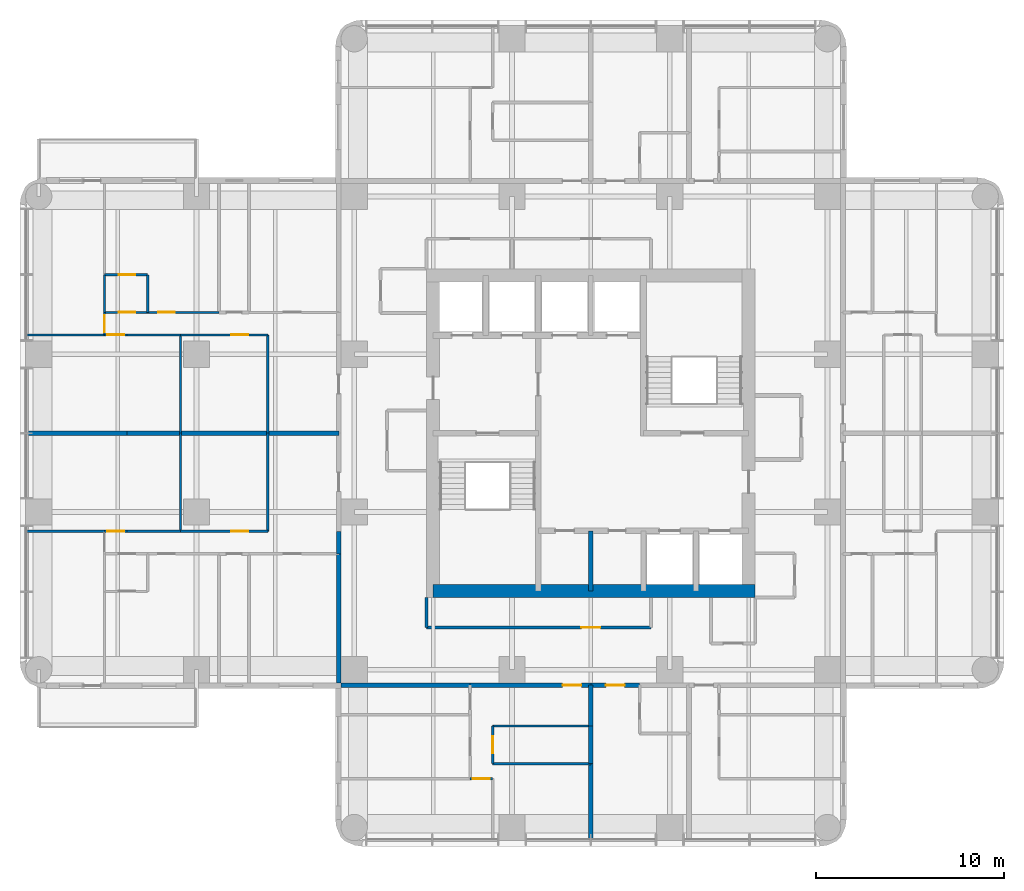
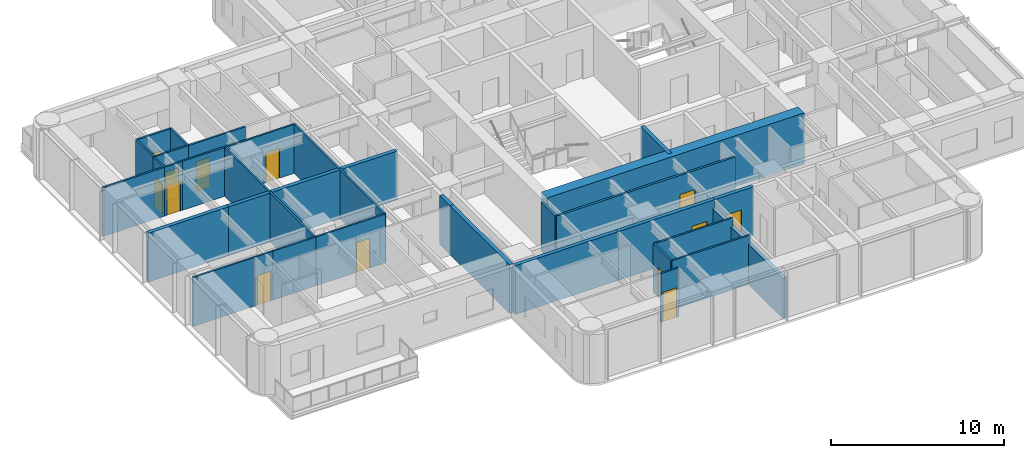
# One storey, part 5 of 11: 38 walls, 13 doors, 13 openings.
"""IFC4 building model written with IfcOpenShell, lengths in metres."""

from ifc_helpers import new_model, si_unit, direction, frame, frame_2d, origin, place, context, subcontext, project, spatial, rectangle, extrude, material, layer, layer_set, type_object, element, fill, save


model = new_model("IFC4")

# Units and contexts
model_context = context("Model", 3, precision=1e-05, world=origin(), true_north=direction((0.0, 1.0)))
body_context = subcontext(model_context, "Body", "Model", "MODEL_VIEW")
ifc_project = project(units=[si_unit("LENGTHUNIT", "METRE"), si_unit("AREAUNIT", "SQUARE_METRE"), si_unit("VOLUMEUNIT", "CUBIC_METRE"), si_unit("PLANEANGLEUNIT", "RADIAN"), si_unit("MASSUNIT", "GRAM", prefix="KILO")], contexts=[model_context])

# Site, building, storey
site_placement = place(None, origin())
site = spatial("IfcSite", under=ifc_project, at=site_placement, CompositionType="ELEMENT")
building_placement = place(site_placement, origin())
building = spatial("IfcBuilding", under=site, at=building_placement, Name="Torre Alcanfor", CompositionType="ELEMENT")
storey_placement = place(building_placement, frame((0.0, 0.0, 201.300048828125)))
storey = spatial("IfcBuildingStorey", under=building, at=storey_placement, Name="L52", CompositionType="ELEMENT", Elevation=201.300048828125)

# Wall, opening, door
ifc_material_1 = material(Name="Concrete block masonry, hollow blocks NMX-C-404 9 MPa", Category="masonry")
ifc_layer_1 = layer(ifc_material_1, 0.25)
ifc_layer_set_1 = layer_set([ifc_layer_1], Name="Apartment entrance wall 250 EI 60")
wall_type_1 = type_object("IfcWallType", Name="Apartment entrance wall 250 EI 60", PredefinedType="PARTITIONING", material=ifc_layer_set_1)
wall_1_placement = place(storey_placement, frame((32.0, 15.97509765625, 0.0), z_axis=(0.0, 0.0, 1.0), x_axis=(-1.0, 0.0, 0.0)))
wall_1 = element("IfcWall", 1, at=wall_1_placement, inside=storey, type_object=wall_type_1, Name="Partition L52-CORR / L52-S1A-STUDIO", PredefinedType="PARTITIONING", context=body_context, shape_type="SweptSolid", body=[
    extrude(rectangle(XDim=2.60009765625, YDim=0.25, at=frame_2d((1.300048828125, 0.0))), origin(), (0.0, 0.0, 1.0), 3.449951171875),
])
opening_1_placement = place(wall_1_placement, frame((0.800048828125, 0.0, 0.0)))
opening_1 = element("IfcOpeningElement", 2, at=opening_1_placement, cuts=wall_1, Name="Opening D-A1", PredefinedType="OPENING", context=body_context, shape_type="SweptSolid", body=[
    extrude(rectangle(XDim=1.0, YDim=2.10009765625, at=frame_2d((0.5, 1.050048828125))), frame((0.0, 0.135009765625, 0.0), z_axis=(0.0, -1.0, 0.0), x_axis=(1.0, 0.0, 0.0)), (0.0, 0.0, 1.0), 0.27001953125),
])
ifc_material_2 = material(Name="Galvanised steel sheet ASTM A653", Category="steel")
door_type_1 = type_object("IfcDoorType", Name="Apartment entrance door FD60 1000x2100", OperationType="SINGLE_SWING_LEFT", PredefinedType="DOOR", material=ifc_material_2)
door_1_placement = place(opening_1_placement, origin())
door_1 = element("IfcDoor", 3, at=door_1_placement, inside=storey, type_object=door_type_1, Name="Apartment entrance L52-S1A", OperationType="SINGLE_SWING_LEFT", OverallHeight=2.10009765625, OverallWidth=1.0, PredefinedType="DOOR", context=body_context, shape_type="SweptSolid", body=[
    extrude(rectangle(XDim=1.0, YDim=2.10009765625, at=frame_2d((0.5, 1.050048828125))), frame((0.0, 0.02490234375, 0.0), z_axis=(0.0, -1.0, 0.0), x_axis=(1.0, 0.0, 0.0)), (0.0, 0.0, 1.0), 0.050048828125),
])
fill(opening_1, door_1)

wall_2_placement = place(storey_placement, frame((29.39990234375, 15.97509765625, 0.0), z_axis=(0.0, 0.0, 1.0), x_axis=(-1.0, 0.0, 0.0)))
wall_2 = element("IfcWall", 4, at=wall_2_placement, inside=storey, type_object=wall_type_1, Name="Partition L52-CORR / L52-S2-LIVING", PredefinedType="PARTITIONING", context=body_context, shape_type="SweptSolid", body=[
    extrude(rectangle(XDim=6.428955078125, YDim=0.25, at=frame_2d((3.21435546875, 0.0))), origin(), (0.0, 0.0, 1.0), 3.449951171875),
])
opening_2_placement = place(wall_2_placement, frame((0.5, 0.0, 0.0)))
opening_2 = element("IfcOpeningElement", 5, at=opening_2_placement, cuts=wall_2, Name="Opening D-A1", PredefinedType="OPENING", context=body_context, shape_type="SweptSolid", body=[
    extrude(rectangle(XDim=1.0, YDim=2.10009765625, at=frame_2d((0.5, 1.050048828125))), frame((0.0, 0.135009765625, 0.0), z_axis=(0.0, -1.0, 0.0), x_axis=(1.0, 0.0, 0.0)), (0.0, 0.0, 1.0), 0.27001953125),
])
door_2_placement = place(opening_2_placement, origin())
door_2 = element("IfcDoor", 6, at=door_2_placement, inside=storey, type_object=door_type_1, Name="Apartment entrance L52-S2", OperationType="SINGLE_SWING_LEFT", OverallHeight=2.10009765625, OverallWidth=1.0, PredefinedType="DOOR", context=body_context, shape_type="SweptSolid", body=[
    extrude(rectangle(XDim=1.0, YDim=2.10009765625, at=frame_2d((0.5, 1.050048828125))), frame((0.0, 0.02490234375, 0.0), z_axis=(0.0, -1.0, 0.0), x_axis=(1.0, 0.0, 0.0)), (0.0, 0.0, 1.0), 0.050048828125),
])
fill(opening_2, door_2)

# Walls
wall_3_placement = place(storey_placement, frame((22.970947265625, 15.97509765625, 0.0), z_axis=(0.0, 0.0, 1.0), x_axis=(-1.0, 0.0, 0.0)))
element("IfcWall", 7, at=wall_3_placement, inside=storey, type_object=wall_type_1, Name="Partition L52-CORR / L52-S2-BATH", PredefinedType="PARTITIONING", context=body_context, shape_type="SweptSolid", body=[
    extrude(rectangle(XDim=6.870849609375, YDim=0.25, at=frame_2d((3.435546875, 0.0))), origin(), (0.0, 0.0, 1.0), 3.449951171875),
])
wall_4_placement = place(storey_placement, frame((15.97509765625, 22.970947265625, 0.0), z_axis=(0.0, 0.0, 1.0), x_axis=(0.0, 1.0, 0.0)))
element("IfcWall", 8, at=wall_4_placement, inside=storey, type_object=wall_type_1, Name="Partition L52-CORR / L52-W1-HALL", PredefinedType="PARTITIONING", context=body_context, shape_type="SweptSolid", body=[
    extrude(rectangle(XDim=1.199951171875, YDim=0.25, at=frame_2d((0.60009765625, 0.0))), origin(), (0.0, 0.0, 1.0), 3.449951171875),
])
wall_5_placement = place(storey_placement, frame((15.97509765625, 16.10009765625, 0.0), z_axis=(0.0, 0.0, 1.0), x_axis=(0.0, 1.0, 0.0)))
element("IfcWall", 9, at=wall_5_placement, inside=storey, type_object=wall_type_1, Name="Partition L52-CORR / L52-W1-BED2", PredefinedType="PARTITIONING", context=body_context, shape_type="SweptSolid", body=[
    extrude(rectangle(XDim=6.870849609375, YDim=0.25, at=frame_2d((3.435546875, 0.0))), origin(), (0.0, 0.0, 1.0), 3.449951171875),
])
ifc_material_3 = material(Name="Gypsum board on steel studs", Category="steel")
ifc_layer_2 = layer(ifc_material_3, 0.1201171875)
ifc_layer_set_2 = layer_set([ifc_layer_2], Name="Apartment partition 120")
wall_type_2 = type_object("IfcWallType", Name="Apartment partition 120", PredefinedType="PARTITIONING", material=ifc_layer_set_2)
wall_6_placement = place(storey_placement, frame((29.39990234375, 11.800048828125, 0.0), z_axis=(0.0, 0.0, 1.0), x_axis=(-1.0, 0.0, 0.0)))
element("IfcWall", 10, at=wall_6_placement, inside=storey, type_object=wall_type_2, Name="Partition L52-S2-KITCHEN / L52-S2-LIVING", PredefinedType="PARTITIONING", context=body_context, shape_type="SweptSolid", body=[
    extrude(rectangle(XDim=5.22900390625, YDim=0.1201171875, at=frame_2d((2.614501953125, 0.0))), origin(), (0.0, 0.0, 1.0), 3.449951171875),
])

# Wall, opening, door
wall_7_placement = place(storey_placement, frame((24.1708984375, 11.800048828125, 0.0), z_axis=(0.0, 0.0, 1.0), x_axis=(0.0, 1.0, 0.0)))
wall_7 = element("IfcWall", 11, at=wall_7_placement, inside=storey, type_object=wall_type_2, Name="Partition L52-S2-KITCHEN / L52-S2-LIVING", PredefinedType="PARTITIONING", context=body_context, shape_type="SweptSolid", body=[
    extrude(rectangle(XDim=2.0, YDim=0.1201171875, at=frame_2d((1.0, 0.0))), origin(), (0.0, 0.0, 1.0), 3.449951171875),
])
opening_3_placement = place(wall_7_placement, frame((0.550048828125, 0.0, 0.0)))
opening_3 = element("IfcOpeningElement", 12, at=opening_3_placement, cuts=wall_7, Name="Opening D-R1", PredefinedType="OPENING", context=body_context, shape_type="SweptSolid", body=[
    extrude(rectangle(XDim=0.89990234375, YDim=2.10009765625, at=frame_2d((0.449951171875, 1.050048828125))), frame((0.0, 0.070068359375, 0.0), z_axis=(0.0, -1.0, 0.0), x_axis=(1.0, 0.0, 0.0)), (0.0, 0.0, 1.0), 0.14013671875),
])
ifc_material_4 = material(Name="Timber", Category="wood")
door_type_2 = type_object("IfcDoorType", Name="Internal door 900x2100", OperationType="SINGLE_SWING_LEFT", PredefinedType="DOOR", material=ifc_material_4)
door_3_placement = place(opening_3_placement, frame((0.89990234375, 0.0, 0.0), z_axis=(0.0, 0.0, 1.0), x_axis=(-1.0, 0.0, 0.0)))
door_3 = element("IfcDoor", 13, at=door_3_placement, inside=storey, type_object=door_type_2, Name="Door L52-S2 kitchen", OperationType="SINGLE_SWING_RIGHT", OverallHeight=2.10009765625, OverallWidth=0.89990234375, PredefinedType="DOOR", context=body_context, shape_type="SweptSolid", body=[
    extrude(rectangle(XDim=0.89990234375, YDim=2.10009765625, at=frame_2d((0.449951171875, 1.050048828125))), frame((0.0, 0.025146484375, 0.0), z_axis=(0.0, -1.0, 0.0), x_axis=(1.0, 0.0, 0.0)), (0.0, 0.0, 1.0), 0.050048828125),
])
fill(opening_3, door_3)

# Wall
wall_8_placement = place(storey_placement, frame((24.1708984375, 13.800048828125, 0.0), z_axis=(0.0, 0.0, 1.0), x_axis=(1.0, 0.0, 0.0)))
element("IfcWall", 14, at=wall_8_placement, inside=storey, type_object=wall_type_2, Name="Partition L52-S2-KITCHEN / L52-S2-LIVING", PredefinedType="PARTITIONING", context=body_context, shape_type="SweptSolid", body=[
    extrude(rectangle(XDim=5.22900390625, YDim=0.1201171875, at=frame_2d((2.614501953125, 0.0))), origin(), (0.0, 0.0, 1.0), 3.449951171875),
])

# Wall, opening, door
wall_9_placement = place(storey_placement, frame((24.1708984375, 11.0, 0.0), z_axis=(0.0, 0.0, 1.0), x_axis=(-1.0, 0.0, 0.0)))
wall_9 = element("IfcWall", 15, at=wall_9_placement, inside=storey, type_object=wall_type_2, Name="Partition L52-S2-LIVING / L52-S2-MASTER", PredefinedType="PARTITIONING", context=body_context, shape_type="SweptSolid", body=[
    extrude(rectangle(XDim=1.199951171875, YDim=0.1201171875, at=frame_2d((0.60009765625, 0.0))), origin(), (0.0, 0.0, 1.0), 3.449951171875),
])
opening_4_placement = place(wall_9_placement, frame((0.15087890625, 0.0, 0.0)))
opening_4 = element("IfcOpeningElement", 16, at=opening_4_placement, cuts=wall_9, Name="Opening D-R1", PredefinedType="OPENING", context=body_context, shape_type="SweptSolid", body=[
    extrude(rectangle(XDim=0.89990234375, YDim=2.10009765625, at=frame_2d((0.449951171875, 1.050048828125))), frame((0.0, 0.070068359375, 0.0), z_axis=(0.0, -1.0, 0.0), x_axis=(1.0, 0.0, 0.0)), (0.0, 0.0, 1.0), 0.14013671875),
])
door_4_placement = place(opening_4_placement, origin())
door_4 = element("IfcDoor", 17, at=door_4_placement, inside=storey, type_object=door_type_2, Name="Door L52-S2 master", OperationType="SINGLE_SWING_LEFT", OverallHeight=2.10009765625, OverallWidth=0.89990234375, PredefinedType="DOOR", context=body_context, shape_type="SweptSolid", body=[
    extrude(rectangle(XDim=0.89990234375, YDim=2.10009765625, at=frame_2d((0.449951171875, 1.050048828125))), frame((0.0, 0.02490234375, 0.0), z_axis=(0.0, -1.0, 0.0), x_axis=(1.0, 0.0, 0.0)), (0.0, 0.0, 1.0), 0.050048828125),
])
fill(opening_4, door_4)

# Walls
for number, where, z_axis, x_axis, name in (
    (18, (12.199951171875, 29.39990234375, 0.0), (0.0, 0.0, 1.0), (0.0, -1.0, 0.0), "Partition L52-W1-ZAG / L52-W1-FAMILY"),
    (19, (7.550048828125, 29.39990234375, 0.0), (0.0, 0.0, 1.0), (0.0, -1.0, 0.0), "Partition L52-W1-FAMILY / L52-W1-KITCHEN"),
):
    element("IfcWall", number, at=place(storey_placement, frame(where, z_axis=z_axis, x_axis=x_axis)), inside=storey, type_object=wall_type_2, Name=name, PredefinedType="PARTITIONING", context=body_context, shape_type="SweptSolid", body=[
        extrude(rectangle(XDim=5.22900390625, YDim=0.1201171875, at=frame_2d((2.614501953125, 0.0))), origin(), (0.0, 0.0, 1.0), 3.449951171875),
    ])

# Wall, opening, door
wall_10_placement = place(storey_placement, frame((7.550048828125, 24.1708984375, 0.0), z_axis=(0.0, 0.0, 1.0), x_axis=(1.0, 0.0, 0.0)))
wall_10 = element("IfcWall", 20, at=wall_10_placement, inside=storey, type_object=wall_type_2, Name="Partition L52-W1-FAMILY / L52-W1-HALL", PredefinedType="PARTITIONING", context=body_context, shape_type="SweptSolid", body=[
    extrude(rectangle(XDim=4.64990234375, YDim=0.1201171875, at=frame_2d((2.324951171875, 0.0))), origin(), (0.0, 0.0, 1.0), 3.449951171875),
])
opening_5_placement = place(wall_10_placement, frame((2.699951171875, 0.0, 0.0)))
opening_5 = element("IfcOpeningElement", 21, at=opening_5_placement, cuts=wall_10, Name="Opening D-R1", PredefinedType="OPENING", context=body_context, shape_type="SweptSolid", body=[
    extrude(rectangle(XDim=0.89990234375, YDim=2.10009765625, at=frame_2d((0.449951171875, 1.050048828125))), frame((0.0, 0.070068359375, 0.0), z_axis=(0.0, -1.0, 0.0), x_axis=(1.0, 0.0, 0.0)), (0.0, 0.0, 1.0), 0.14013671875),
])
door_5_placement = place(opening_5_placement, origin())
door_5 = element("IfcDoor", 22, at=door_5_placement, inside=storey, type_object=door_type_2, Name="Door L52-W1 family", OperationType="SINGLE_SWING_RIGHT", OverallHeight=2.10009765625, OverallWidth=0.89990234375, PredefinedType="DOOR", context=body_context, shape_type="SweptSolid", body=[
    extrude(rectangle(XDim=0.89990234375, YDim=2.10009765625, at=frame_2d((0.449951171875, 1.050048828125))), frame((0.0, 0.02490234375, 0.0), z_axis=(0.0, -1.0, 0.0), x_axis=(1.0, 0.0, 0.0)), (0.0, 0.0, 1.0), 0.050048828125),
])
fill(opening_5, door_5)

# Wall
wall_11_placement = place(storey_placement, frame((4.699951171875, 24.1708984375, 0.0), z_axis=(0.0, 0.0, 1.0), x_axis=(1.0, 0.0, 0.0)))
element("IfcWall", 23, at=wall_11_placement, inside=storey, type_object=wall_type_2, Name="Partition L52-W1-KITCHEN / L52-W1-HALL", PredefinedType="PARTITIONING", context=body_context, shape_type="SweptSolid", body=[
    extrude(rectangle(XDim=2.85009765625, YDim=0.1201171875, at=frame_2d((1.425048828125, 0.0))), origin(), (0.0, 0.0, 1.0), 3.449951171875),
])

# Wall, opening, door
wall_12_placement = place(storey_placement, frame((3.5, 24.1708984375, 0.0), z_axis=(0.0, 0.0, 1.0), x_axis=(1.0, 0.0, 0.0)))
wall_12 = element("IfcWall", 24, at=wall_12_placement, inside=storey, type_object=wall_type_2, Name="Partition L52-W1-LIVING / L52-W1-HALL", PredefinedType="PARTITIONING", context=body_context, shape_type="SweptSolid", body=[
    extrude(rectangle(XDim=1.199951171875, YDim=0.1201171875, at=frame_2d((0.60009765625, 0.0))), origin(), (0.0, 0.0, 1.0), 3.449951171875),
])
opening_6_placement = place(wall_12_placement, frame((0.14990234375, 0.0, 0.0)))
opening_6 = element("IfcOpeningElement", 25, at=opening_6_placement, cuts=wall_12, Name="Opening D-R1", PredefinedType="OPENING", context=body_context, shape_type="SweptSolid", body=[
    extrude(rectangle(XDim=0.89990234375, YDim=2.10009765625, at=frame_2d((0.449951171875, 1.050048828125))), frame((0.0, 0.070068359375, 0.0), z_axis=(0.0, -1.0, 0.0), x_axis=(1.0, 0.0, 0.0)), (0.0, 0.0, 1.0), 0.14013671875),
])
door_6_placement = place(opening_6_placement, origin())
door_6 = element("IfcDoor", 26, at=door_6_placement, inside=storey, type_object=door_type_2, Name="Door L52-W1 living", OperationType="SINGLE_SWING_RIGHT", OverallHeight=2.10009765625, OverallWidth=0.89990234375, PredefinedType="DOOR", context=body_context, shape_type="SweptSolid", body=[
    extrude(rectangle(XDim=0.89990234375, YDim=2.10009765625, at=frame_2d((0.449951171875, 1.050048828125))), frame((0.0, 0.02490234375, 0.0), z_axis=(0.0, -1.0, 0.0), x_axis=(1.0, 0.0, 0.0)), (0.0, 0.0, 1.0), 0.050048828125),
])
fill(opening_6, door_6)

# Walls
wall_13_placement = place(storey_placement, frame((-0.64990234375, 24.1708984375, 0.0), z_axis=(0.0, 0.0, 1.0), x_axis=(1.0, 0.0, 0.0)))
element("IfcWall", 27, at=wall_13_placement, inside=storey, type_object=wall_type_2, Name="Partition L52-W1-LIVING / L52-W1-WGARD", PredefinedType="PARTITIONING", context=body_context, shape_type="SweptSolid", body=[
    extrude(rectangle(XDim=4.14990234375, YDim=0.1201171875, at=frame_2d((2.074951171875, 0.0))), origin(), (0.0, 0.0, 1.0), 3.449951171875),
])
for number, where, z_axis, x_axis, name in (
    (28, (12.199951171875, 29.39990234375, 0.0), (0.0, 0.0, 1.0), (0.0, 1.0, 0.0), "Partition L52-W2-ZAG / L52-W2-FAMILY"),
    (29, (7.550048828125, 29.39990234375, 0.0), (0.0, 0.0, 1.0), (0.0, 1.0, 0.0), "Partition L52-W2-FAMILY / L52-W2-KITCHEN"),
):
    element("IfcWall", number, at=place(storey_placement, frame(where, z_axis=z_axis, x_axis=x_axis)), inside=storey, type_object=wall_type_2, Name=name, PredefinedType="PARTITIONING", context=body_context, shape_type="SweptSolid", body=[
        extrude(rectangle(XDim=5.22900390625, YDim=0.1201171875, at=frame_2d((2.614501953125, 0.0))), origin(), (0.0, 0.0, 1.0), 3.449951171875),
    ])

# Wall, opening, door
wall_14_placement = place(storey_placement, frame((7.550048828125, 34.62890625, 0.0), z_axis=(0.0, 0.0, 1.0), x_axis=(1.0, 0.0, 0.0)))
wall_14 = element("IfcWall", 30, at=wall_14_placement, inside=storey, type_object=wall_type_2, Name="Partition L52-W2-FAMILY / L52-W2-HALL", PredefinedType="PARTITIONING", context=body_context, shape_type="SweptSolid", body=[
    extrude(rectangle(XDim=4.64990234375, YDim=0.1201171875, at=frame_2d((2.324951171875, 0.0))), origin(), (0.0, 0.0, 1.0), 3.449951171875),
])
opening_7_placement = place(wall_14_placement, frame((2.699951171875, 0.0, 0.0)))
opening_7 = element("IfcOpeningElement", 31, at=opening_7_placement, cuts=wall_14, Name="Opening D-R1", PredefinedType="OPENING", context=body_context, shape_type="SweptSolid", body=[
    extrude(rectangle(XDim=0.89990234375, YDim=2.10009765625, at=frame_2d((0.449951171875, 1.050048828125))), frame((0.0, 0.070068359375, 0.0), z_axis=(0.0, -1.0, 0.0), x_axis=(1.0, 0.0, 0.0)), (0.0, 0.0, 1.0), 0.14013671875),
])
door_7_placement = place(opening_7_placement, frame((0.89990234375, 0.0, 0.0), z_axis=(0.0, 0.0, 1.0), x_axis=(-1.0, 0.0, 0.0)))
door_7 = element("IfcDoor", 32, at=door_7_placement, inside=storey, type_object=door_type_2, Name="Door L52-W2 family", OperationType="SINGLE_SWING_LEFT", OverallHeight=2.10009765625, OverallWidth=0.89990234375, PredefinedType="DOOR", context=body_context, shape_type="SweptSolid", body=[
    extrude(rectangle(XDim=0.89990234375, YDim=2.10009765625, at=frame_2d((0.449951171875, 1.050048828125))), frame((0.0, 0.025146484375, 0.0), z_axis=(0.0, -1.0, 0.0), x_axis=(1.0, 0.0, 0.0)), (0.0, 0.0, 1.0), 0.050048828125),
])
fill(opening_7, door_7)

# Wall
wall_15_placement = place(storey_placement, frame((4.699951171875, 34.62890625, 0.0), z_axis=(0.0, 0.0, 1.0), x_axis=(1.0, 0.0, 0.0)))
element("IfcWall", 33, at=wall_15_placement, inside=storey, type_object=wall_type_2, Name="Partition L52-W2-KITCHEN / L52-W2-HALL", PredefinedType="PARTITIONING", context=body_context, shape_type="SweptSolid", body=[
    extrude(rectangle(XDim=2.85009765625, YDim=0.1201171875, at=frame_2d((1.425048828125, 0.0))), origin(), (0.0, 0.0, 1.0), 3.449951171875),
])

# Wall, opening, door
wall_16_placement = place(storey_placement, frame((3.5, 34.62890625, 0.0), z_axis=(0.0, 0.0, 1.0), x_axis=(1.0, 0.0, 0.0)))
wall_16 = element("IfcWall", 34, at=wall_16_placement, inside=storey, type_object=wall_type_2, Name="Partition L52-W2-LIVING / L52-W2-HALL", PredefinedType="PARTITIONING", context=body_context, shape_type="SweptSolid", body=[
    extrude(rectangle(XDim=1.199951171875, YDim=0.1201171875, at=frame_2d((0.60009765625, 0.0))), origin(), (0.0, 0.0, 1.0), 3.449951171875),
])
opening_8_placement = place(wall_16_placement, frame((0.14990234375, 0.0, 0.0)))
opening_8 = element("IfcOpeningElement", 35, at=opening_8_placement, cuts=wall_16, Name="Opening D-R1", PredefinedType="OPENING", context=body_context, shape_type="SweptSolid", body=[
    extrude(rectangle(XDim=0.89990234375, YDim=2.10009765625, at=frame_2d((0.449951171875, 1.050048828125))), frame((0.0, 0.070068359375, 0.0), z_axis=(0.0, -1.0, 0.0), x_axis=(1.0, 0.0, 0.0)), (0.0, 0.0, 1.0), 0.14013671875),
])
door_8_placement = place(opening_8_placement, frame((0.89990234375, 0.0, 0.0), z_axis=(0.0, 0.0, 1.0), x_axis=(-1.0, 0.0, 0.0)))
door_8 = element("IfcDoor", 36, at=door_8_placement, inside=storey, type_object=door_type_2, Name="Door L52-W2 living", OperationType="SINGLE_SWING_LEFT", OverallHeight=2.10009765625, OverallWidth=0.89990234375, PredefinedType="DOOR", context=body_context, shape_type="SweptSolid", body=[
    extrude(rectangle(XDim=0.89990234375, YDim=2.10009765625, at=frame_2d((0.449951171875, 1.050048828125))), frame((0.0, 0.025146484375, 0.0), z_axis=(0.0, -1.0, 0.0), x_axis=(1.0, 0.0, 0.0)), (0.0, 0.0, 1.0), 0.050048828125),
])
fill(opening_8, door_8)

# Wall
wall_17_placement = place(storey_placement, frame((-0.64990234375, 34.62890625, 0.0), z_axis=(0.0, 0.0, 1.0), x_axis=(1.0, 0.0, 0.0)))
element("IfcWall", 37, at=wall_17_placement, inside=storey, type_object=wall_type_2, Name="Partition L52-W2-LIVING / L52-W2-WGARD", PredefinedType="PARTITIONING", context=body_context, shape_type="SweptSolid", body=[
    extrude(rectangle(XDim=4.14990234375, YDim=0.1201171875, at=frame_2d((2.074951171875, 0.0))), origin(), (0.0, 0.0, 1.0), 3.449951171875),
])

# Wall, opening, door
wall_18_placement = place(storey_placement, frame((5.800048828125, 35.8291015625, 0.0), z_axis=(0.0, 0.0, 1.0), x_axis=(1.0, 0.0, 0.0)))
wall_18 = element("IfcWall", 38, at=wall_18_placement, inside=storey, type_object=wall_type_2, Name="Partition L52-W2-HALL / L52-W2-MASTER", PredefinedType="PARTITIONING", context=body_context, shape_type="SweptSolid", body=[
    extrude(rectangle(XDim=3.800048828125, YDim=0.1201171875, at=frame_2d((1.89990234375, 0.0))), origin(), (0.0, 0.0, 1.0), 3.449951171875),
])
opening_9_placement = place(wall_18_placement, frame((0.550048828125, 0.0, 0.0)))
opening_9 = element("IfcOpeningElement", 39, at=opening_9_placement, cuts=wall_18, Name="Opening D-R1", PredefinedType="OPENING", context=body_context, shape_type="SweptSolid", body=[
    extrude(rectangle(XDim=0.89990234375, YDim=2.10009765625, at=frame_2d((0.449951171875, 1.050048828125))), frame((0.0, 0.070068359375, 0.0), z_axis=(0.0, -1.0, 0.0), x_axis=(1.0, 0.0, 0.0)), (0.0, 0.0, 1.0), 0.14013671875),
])
door_9_placement = place(opening_9_placement, origin())
door_9 = element("IfcDoor", 40, at=door_9_placement, inside=storey, type_object=door_type_2, Name="Door L52-W2 master", OperationType="SINGLE_SWING_LEFT", OverallHeight=2.10009765625, OverallWidth=0.89990234375, PredefinedType="DOOR", context=body_context, shape_type="SweptSolid", body=[
    extrude(rectangle(XDim=0.89990234375, YDim=2.10009765625, at=frame_2d((0.449951171875, 1.050048828125))), frame((0.0, 0.02490234375, 0.0), z_axis=(0.0, -1.0, 0.0), x_axis=(1.0, 0.0, 0.0)), (0.0, 0.0, 1.0), 0.050048828125),
])
fill(opening_9, door_9)

wall_19_placement = place(storey_placement, frame((3.5, 35.8291015625, 0.0), z_axis=(0.0, 0.0, 1.0), x_axis=(1.0, 0.0, 0.0)))
wall_19 = element("IfcWall", 41, at=wall_19_placement, inside=storey, type_object=wall_type_2, Name="Partition L52-W2-HALL / L52-W2-VEST", PredefinedType="PARTITIONING", context=body_context, shape_type="SweptSolid", body=[
    extrude(rectangle(XDim=2.300048828125, YDim=0.1201171875, at=frame_2d((1.14990234375, 0.0))), origin(), (0.0, 0.0, 1.0), 3.449951171875),
])
opening_10_placement = place(wall_19_placement, frame((0.75, 0.0, 0.0)))
opening_10 = element("IfcOpeningElement", 42, at=opening_10_placement, cuts=wall_19, Name="Opening D-R1", PredefinedType="OPENING", context=body_context, shape_type="SweptSolid", body=[
    extrude(rectangle(XDim=0.89990234375, YDim=2.10009765625, at=frame_2d((0.449951171875, 1.050048828125))), frame((0.0, 0.070068359375, 0.0), z_axis=(0.0, -1.0, 0.0), x_axis=(1.0, 0.0, 0.0)), (0.0, 0.0, 1.0), 0.14013671875),
])
door_10_placement = place(opening_10_placement, origin())
door_10 = element("IfcDoor", 43, at=door_10_placement, inside=storey, type_object=door_type_2, Name="Door L52-W2 vest", OperationType="SINGLE_SWING_RIGHT", OverallHeight=2.10009765625, OverallWidth=0.89990234375, PredefinedType="DOOR", context=body_context, shape_type="SweptSolid", body=[
    extrude(rectangle(XDim=0.89990234375, YDim=2.10009765625, at=frame_2d((0.449951171875, 1.050048828125))), frame((0.0, 0.02490234375, 0.0), z_axis=(0.0, -1.0, 0.0), x_axis=(1.0, 0.0, 0.0)), (0.0, 0.0, 1.0), 0.050048828125),
])
fill(opening_10, door_10)

wall_20_placement = place(storey_placement, frame((3.5, 34.62890625, 0.0), z_axis=(0.0, 0.0, 1.0), x_axis=(0.0, 1.0, 0.0)))
wall_20 = element("IfcWall", 44, at=wall_20_placement, inside=storey, type_object=wall_type_2, Name="Partition L52-W2-HALL / L52-W2-WGARD", PredefinedType="PARTITIONING", context=body_context, shape_type="SweptSolid", body=[
    extrude(rectangle(XDim=1.2001953125, YDim=0.1201171875, at=frame_2d((0.60009765625, 0.0))), origin(), (0.0, 0.0, 1.0), 3.449951171875),
])
opening_11_placement = place(wall_20_placement, frame((0.15087890625, 0.0, 0.0)))
opening_11 = element("IfcOpeningElement", 45, at=opening_11_placement, cuts=wall_20, Name="Opening D-R1", PredefinedType="OPENING", context=body_context, shape_type="SweptSolid", body=[
    extrude(rectangle(XDim=0.89990234375, YDim=2.10009765625, at=frame_2d((0.449951171875, 1.050048828125))), frame((0.0, 0.070068359375, 0.0), z_axis=(0.0, -1.0, 0.0), x_axis=(1.0, 0.0, 0.0)), (0.0, 0.0, 1.0), 0.14013671875),
])
door_11_placement = place(opening_11_placement, origin())
door_11 = element("IfcDoor", 46, at=door_11_placement, inside=storey, type_object=door_type_2, Name="Door L52-W2 wgard", OperationType="SINGLE_SWING_LEFT", OverallHeight=2.10009765625, OverallWidth=0.89990234375, PredefinedType="DOOR", context=body_context, shape_type="SweptSolid", body=[
    extrude(rectangle(XDim=0.89990234375, YDim=2.10009765625, at=frame_2d((0.449951171875, 1.050048828125))), frame((0.0, 0.02490234375, 0.0), z_axis=(0.0, -1.0, 0.0), x_axis=(1.0, 0.0, 0.0)), (0.0, 0.0, 1.0), 0.050048828125),
])
fill(opening_11, door_11)

# Wall
wall_21_placement = place(storey_placement, frame((5.800048828125, 35.8291015625, 0.0), z_axis=(0.0, 0.0, 1.0), x_axis=(0.0, 1.0, 0.0)))
element("IfcWall", 47, at=wall_21_placement, inside=storey, type_object=wall_type_2, Name="Partition L52-W2-MASTER / L52-W2-VEST", PredefinedType="PARTITIONING", context=body_context, shape_type="SweptSolid", body=[
    extrude(rectangle(XDim=2.0, YDim=0.1201171875, at=frame_2d((1.0, 0.0))), origin(), (0.0, 0.0, 1.0), 3.449951171875),
])

# Wall, opening, door
wall_22_placement = place(storey_placement, frame((5.800048828125, 37.8291015625, 0.0), z_axis=(0.0, 0.0, 1.0), x_axis=(-1.0, 0.0, 0.0)))
wall_22 = element("IfcWall", 48, at=wall_22_placement, inside=storey, type_object=wall_type_2, Name="Partition L52-W2-MASTER / L52-W2-VEST", PredefinedType="PARTITIONING", context=body_context, shape_type="SweptSolid", body=[
    extrude(rectangle(XDim=2.300048828125, YDim=0.1201171875, at=frame_2d((1.14990234375, 0.0))), origin(), (0.0, 0.0, 1.0), 3.449951171875),
])
opening_12_placement = place(wall_22_placement, frame((0.64990234375, 0.0, 0.0)))
opening_12 = element("IfcOpeningElement", 49, at=opening_12_placement, cuts=wall_22, Name="Opening D-R1", PredefinedType="OPENING", context=body_context, shape_type="SweptSolid", body=[
    extrude(rectangle(XDim=0.89990234375, YDim=2.10009765625, at=frame_2d((0.449951171875, 1.050048828125))), frame((0.0, 0.070068359375, 0.0), z_axis=(0.0, -1.0, 0.0), x_axis=(1.0, 0.0, 0.0)), (0.0, 0.0, 1.0), 0.14013671875),
])
door_12_placement = place(opening_12_placement, origin())
door_12 = element("IfcDoor", 50, at=door_12_placement, inside=storey, type_object=door_type_2, Name="Door L52-W2 master", OperationType="SINGLE_SWING_LEFT", OverallHeight=2.10009765625, OverallWidth=0.89990234375, PredefinedType="DOOR", context=body_context, shape_type="SweptSolid", body=[
    extrude(rectangle(XDim=0.89990234375, YDim=2.10009765625, at=frame_2d((0.449951171875, 1.050048828125))), frame((0.0, 0.02490234375, 0.0), z_axis=(0.0, -1.0, 0.0), x_axis=(1.0, 0.0, 0.0)), (0.0, 0.0, 1.0), 0.050048828125),
])
fill(opening_12, door_12)

# Walls
wall_23_placement = place(storey_placement, frame((3.5, 35.8291015625, 0.0), z_axis=(0.0, 0.0, 1.0), x_axis=(0.0, 1.0, 0.0)))
element("IfcWall", 51, at=wall_23_placement, inside=storey, type_object=wall_type_2, Name="Partition L52-W2-VEST / L52-W2-WGARD", PredefinedType="PARTITIONING", context=body_context, shape_type="SweptSolid", body=[
    extrude(rectangle(XDim=2.0, YDim=0.1201171875, at=frame_2d((1.0, 0.0))), origin(), (0.0, 0.0, 1.0), 3.449951171875),
])
ifc_material_5 = material(Name="Concrete f'c 70 MPa", Category="concrete")
ifc_layer_3 = layer(ifc_material_5, 0.25)
ifc_layer_set_3 = layer_set([ifc_layer_3], Name="Core shaft wall 250 f'c70")
wall_type_3 = type_object("IfcWallType", Name="Core shaft wall 250 f'c70", PredefinedType="SHEAR", material=ifc_layer_set_3)
wall_24_placement = place(storey_placement, frame((29.39990234375, 21.0, 0.0), z_axis=(0.0, 0.0, 1.0), x_axis=(0.0, 1.0, 0.0)))
element("IfcWall", 52, at=wall_24_placement, inside=storey, type_object=wall_type_3, Name="Core wall X294S L52", PredefinedType="SHEAR", context=body_context, shape_type="SweptSolid", body=[
    extrude(rectangle(XDim=3.199951171875, YDim=0.25, at=frame_2d((1.60009765625, 0.0))), origin(), (0.0, 0.0, 1.0), 3.599853515625),
])
ifc_material_6 = material(Name="Concrete f'c 70 MPa", Category="concrete")
ifc_layer_4 = layer(ifc_material_6, 0.699951171875)
ifc_layer_set_4 = layer_set([ifc_layer_4], Name="Core wall 700 f'c70")
wall_type_4 = type_object("IfcWallType", Name="Core wall 700 f'c70", PredefinedType="SHEAR", material=ifc_layer_set_4)
wall_25_placement = place(storey_placement, frame((21.0, 21.0, 0.0), z_axis=(0.0, 0.0, 1.0), x_axis=(1.0, 0.0, 0.0)))
element("IfcWall", 53, at=wall_25_placement, inside=storey, type_object=wall_type_4, Name="Core wall OUT-S L52", PredefinedType="SHEAR", context=body_context, shape_type="SweptSolid", body=[
    extrude(rectangle(XDim=17.14990234375, YDim=0.699951171875, at=frame_2d((8.574951171875, 0.0))), origin(), (0.0, 0.0, 1.0), 3.599853515625),
])
ifc_material_7 = material(Name="Concrete block masonry, hollow blocks NMX-C-404 9 MPa", Category="masonry")
ifc_layer_5 = layer(ifc_material_7, 0.25)
ifc_layer_set_5 = layer_set([ifc_layer_5], Name="Party wall 250 EI 60")
wall_type_5 = type_object("IfcWallType", Name="Party wall 250 EI 60", PredefinedType="PARTITIONING", material=ifc_layer_set_5)
wall_26_placement = place(storey_placement, frame((29.39990234375, 11.800048828125, 0.0), z_axis=(0.0, 0.0, 1.0), x_axis=(0.0, 1.0, 0.0)))
element("IfcWall", 54, at=wall_26_placement, inside=storey, type_object=wall_type_5, Name="Partition L52-S1A-STUDIO / L52-S2-KITCHEN", PredefinedType="PARTITIONING", context=body_context, shape_type="SweptSolid", body=[
    extrude(rectangle(XDim=2.0, YDim=0.25, at=frame_2d((1.0, 0.0))), origin(), (0.0, 0.0, 1.0), 2.847900390625),
])
wall_27_placement = place(storey_placement, frame((29.39990234375, 7.75, 0.0), z_axis=(0.0, 0.0, 1.0), x_axis=(0.0, 1.0, 0.0)))
element("IfcWall", 55, at=wall_27_placement, inside=storey, type_object=wall_type_5, Name="Partition L52-S1A-STUDIO / L52-S2-LIVING", PredefinedType="PARTITIONING", context=body_context, shape_type="SweptSolid", body=[
    extrude(rectangle(XDim=4.050048828125, YDim=0.25, at=frame_2d((2.02490234375, 0.0))), origin(), (0.0, 0.0, 1.0), 2.847900390625),
])
wall_28_placement = place(storey_placement, frame((29.39990234375, 13.800048828125, 0.0), z_axis=(0.0, 0.0, 1.0), x_axis=(0.0, 1.0, 0.0)))
element("IfcWall", 56, at=wall_28_placement, inside=storey, type_object=wall_type_5, Name="Partition L52-S1A-STUDIO / L52-S2-LIVING", PredefinedType="PARTITIONING", context=body_context, shape_type="SweptSolid", body=[
    extrude(rectangle(XDim=2.175048828125, YDim=0.25, at=frame_2d((1.08740234375, 0.0))), origin(), (0.0, 0.0, 1.0), 2.847900390625),
])
wall_29_placement = place(storey_placement, frame((15.97509765625, 29.39990234375, 0.0), z_axis=(0.0, 0.0, 1.0), x_axis=(-1.0, 0.0, 0.0)))
element("IfcWall", 57, at=wall_29_placement, inside=storey, type_object=wall_type_5, Name="Partition L52-W1-ZAG / L52-W2-ZAG", PredefinedType="PARTITIONING", context=body_context, shape_type="SweptSolid", body=[
    extrude(rectangle(XDim=3.775146484375, YDim=0.25, at=frame_2d((1.8876953125, 0.0))), origin(), (0.0, 0.0, 1.0), 3.449951171875),
])
wall_30_placement = place(storey_placement, frame((12.199951171875, 29.39990234375, 0.0), z_axis=(0.0, 0.0, 1.0), x_axis=(-1.0, 0.0, 0.0)))
element("IfcWall", 58, at=wall_30_placement, inside=storey, type_object=wall_type_5, Name="Partition L52-W1-FAMILY / L52-W2-FAMILY", PredefinedType="PARTITIONING", context=body_context, shape_type="SweptSolid", body=[
    extrude(rectangle(XDim=4.64990234375, YDim=0.25, at=frame_2d((2.324951171875, 0.0))), origin(), (0.0, 0.0, 1.0), 3.449951171875),
])
wall_31_placement = place(storey_placement, frame((7.550048828125, 29.39990234375, 0.0), z_axis=(0.0, 0.0, 1.0), x_axis=(-1.0, 0.0, 0.0)))
element("IfcWall", 59, at=wall_31_placement, inside=storey, type_object=wall_type_5, Name="Partition L52-W1-KITCHEN / L52-W2-KITCHEN", PredefinedType="PARTITIONING", context=body_context, shape_type="SweptSolid", body=[
    extrude(rectangle(XDim=2.85009765625, YDim=0.25, at=frame_2d((1.425048828125, 0.0))), origin(), (0.0, 0.0, 1.0), 3.449951171875),
])
wall_32_placement = place(storey_placement, frame((4.699951171875, 29.39990234375, 0.0), z_axis=(0.0, 0.0, 1.0), x_axis=(-1.0, 0.0, 0.0)))
element("IfcWall", 60, at=wall_32_placement, inside=storey, type_object=wall_type_5, Name="Partition L52-W1-LIVING / L52-W2-LIVING", PredefinedType="PARTITIONING", context=body_context, shape_type="SweptSolid", body=[
    extrude(rectangle(XDim=5.349853515625, YDim=0.25, at=frame_2d((2.6748046875, 0.0))), origin(), (0.0, 0.0, 1.0), 3.449951171875),
])
ifc_material_8 = material(Name="Concrete block masonry, hollow blocks NMX-C-404 9 MPa", Category="masonry")
ifc_layer_6 = layer(ifc_material_8, 0.14990234375)
ifc_layer_set_6 = layer_set([ifc_layer_6], Name="Residents' room partition 150")
wall_type_6 = type_object("IfcWallType", Name="Residents' room partition 150", PredefinedType="PARTITIONING", material=ifc_layer_set_6)
wall_33_placement = place(storey_placement, frame((20.64990234375, 20.64990234375, 0.0), z_axis=(0.0, 0.0, 1.0), x_axis=(0.0, -1.0, 0.0)))
element("IfcWall", 61, at=wall_33_placement, inside=storey, type_object=wall_type_6, Name="Partition L52-CORR / L52-G05", PredefinedType="PARTITIONING", context=body_context, shape_type="SweptSolid", body=[
    extrude(rectangle(XDim=1.599853515625, YDim=0.14990234375, at=frame_2d((0.7998046875, 0.0))), origin(), (0.0, 0.0, 1.0), 3.449951171875),
])

# Wall, opening, door
wall_34_placement = place(storey_placement, frame((20.64990234375, 19.050048828125, 0.0), z_axis=(0.0, 0.0, 1.0), x_axis=(1.0, 0.0, 0.0)))
wall_34 = element("IfcWall", 62, at=wall_34_placement, inside=storey, type_object=wall_type_6, Name="Partition L52-CORR / L52-G05", PredefinedType="PARTITIONING", context=body_context, shape_type="SweptSolid", body=[
    extrude(rectangle(XDim=11.9501953125, YDim=0.14990234375, at=frame_2d((5.97509765625, 0.0))), origin(), (0.0, 0.0, 1.0), 3.449951171875),
])
opening_13_placement = place(wall_34_placement, frame((8.25, 0.0, 0.0)))
opening_13 = element("IfcOpeningElement", 63, at=opening_13_placement, cuts=wall_34, Name="Opening D-M1", PredefinedType="OPENING", context=body_context, shape_type="SweptSolid", body=[
    extrude(rectangle(XDim=1.0, YDim=2.10009765625, at=frame_2d((0.5, 1.050048828125))), frame((0.0, 0.0849609375, 0.0), z_axis=(0.0, -1.0, 0.0), x_axis=(1.0, 0.0, 0.0)), (0.0, 0.0, 1.0), 0.169921875),
])
ifc_material_9 = material(Name="Timber", Category="wood")
door_type_3 = type_object("IfcDoorType", Name="Residents' room door 1000x2100", OperationType="SINGLE_SWING_LEFT", PredefinedType="DOOR", material=ifc_material_9)
door_13_placement = place(opening_13_placement, origin())
door_13 = element("IfcDoor", 64, at=door_13_placement, inside=storey, type_object=door_type_3, Name="Door L52-G05 residents' study", OperationType="SINGLE_SWING_RIGHT", OverallHeight=2.10009765625, OverallWidth=1.0, PredefinedType="DOOR", context=body_context, shape_type="SweptSolid", body=[
    extrude(rectangle(XDim=1.0, YDim=2.10009765625, at=frame_2d((0.5, 1.050048828125))), frame((0.0, 0.02490234375, 0.0), z_axis=(0.0, -1.0, 0.0), x_axis=(1.0, 0.0, 0.0)), (0.0, 0.0, 1.0), 0.050048828125),
])
fill(opening_13, door_13)

save(model, "model.ifc")
